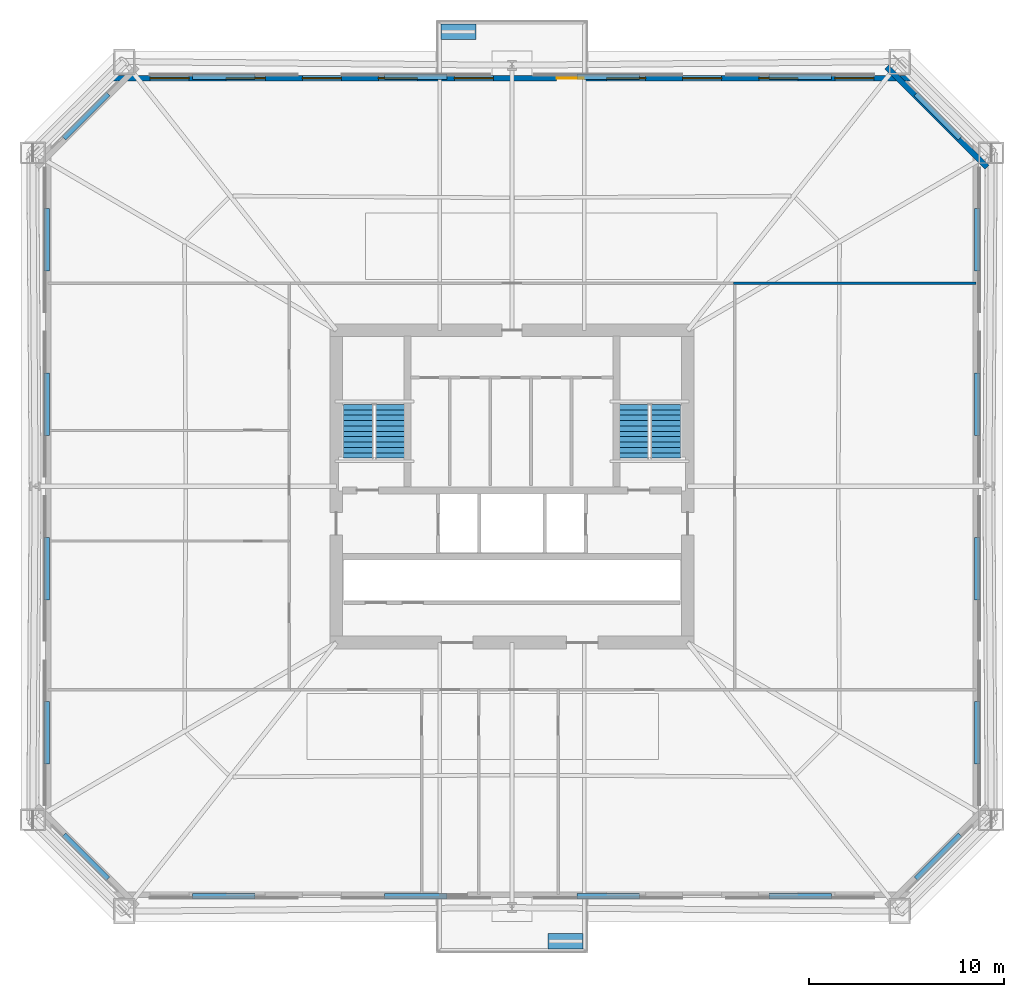
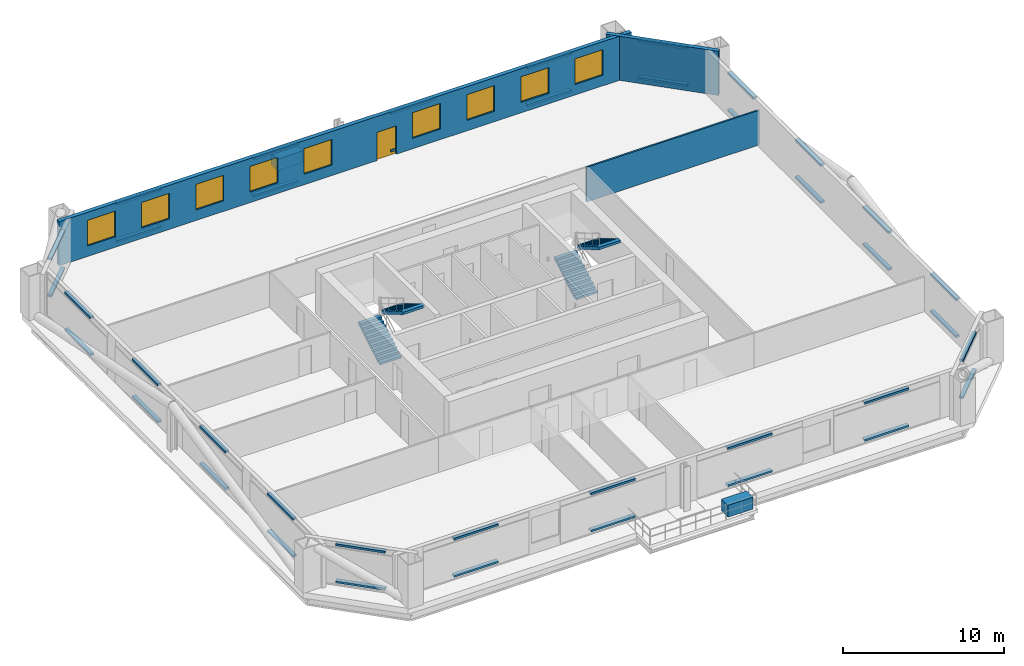
# One storey, part 5 of 7: 42 discrete accessories, 9 windows, 4 stair flights, 3 walls, 1 door, 10 openings, 2 elements without a shape of their own.
"""IFC4 building model written with IfcOpenShell, lengths in metres."""

from ifc_helpers import new_model, si_unit, direction, frame, frame_2d, origin, origin_2d, place, context, subcontext, project, spatial, polyline, rectangle, outline, extrude, material, layer, layer_set, type_object, element, fill, aggregate, save


model = new_model("IFC4")

# Units and contexts
model_context = context("Model", 3, precision=1e-05, world=origin(), true_north=direction((0.0, 1.0)))
body_context = subcontext(model_context, "Body", "Model", "MODEL_VIEW")
ifc_project = project(units=[si_unit("LENGTHUNIT", "METRE"), si_unit("AREAUNIT", "SQUARE_METRE"), si_unit("VOLUMEUNIT", "CUBIC_METRE"), si_unit("PLANEANGLEUNIT", "RADIAN"), si_unit("MASSUNIT", "GRAM", prefix="KILO")], contexts=[model_context])

# Site, building, storey
site_placement = place(None, origin())
site = spatial("IfcSite", under=ifc_project, at=site_placement, CompositionType="ELEMENT")
building_placement = place(site_placement, origin())
building = spatial("IfcBuilding", under=site, at=building_placement, Name="Caelvoria Tower", CompositionType="ELEMENT")
storey_placement = place(building_placement, frame((0.0, 0.0, 38.800048828125)))
storey = spatial("IfcBuildingStorey", under=building, at=storey_placement, Name="L09", CompositionType="ELEMENT", Elevation=38.800048828125)

# Wall
ifc_material_1 = material(Name="Precast Concrete C40/50 with Bronze Cladding", Category="concrete")
ifc_layer_1 = layer(ifc_material_1, 0.280029296875, Name="Precast Concrete C40/50 with Bronze Cladding")
ifc_layer_set_1 = layer_set([ifc_layer_1], Name="Exterior Precast Concrete C40/50 Bronze-Clad Facade Wall 280 - Precast Concrete C40/50 with Bronze Cladding")
wall_type_1 = type_object("IfcWallType", Name="Exterior Precast Concrete C40/50 Bronze-Clad Facade Wall 280", PredefinedType="STANDARD", material=ifc_layer_set_1)
wall_1_placement = place(storey_placement, frame((70.343994140625, 48.3544921875, 0.0), z_axis=(0.0, 0.0, 1.0), x_axis=(-0.707106781187, 0.707106781187, 0.0)))
element("IfcWall", 1, at=wall_1_placement, inside=storey, type_object=wall_type_1, Name="Exterior Facade Wall L09-E3", PredefinedType="STANDARD", context=body_context, shape_type="SweptSolid", body=[
    extrude(rectangle(XDim=7.268310546875, YDim=0.280029296875, at=frame_2d((3.63427734375, 0.0))), origin(), (0.0, 0.0, 1.0), 3.35986328125),
])

# Wall, openings, windows, door
wall_2_placement = place(storey_placement, frame((66.590087890625, 52.919921875, 0.0), z_axis=(0.0, 0.0, 1.0), x_axis=(-1.0, 0.0, 0.0)))
wall_2 = element("IfcWall", 2, at=wall_2_placement, inside=storey, type_object=wall_type_1, Name="Exterior Facade Wall L09-E4", PredefinedType="STANDARD", context=body_context, shape_type="SweptSolid", body=[
    extrude(rectangle(XDim=41.18017578125, YDim=0.280029296875, at=frame_2d((20.590087890625, 0.0))), origin(), (0.0, 0.0, 1.0), 3.35986328125),
])
opening_1_placement = place(wall_2_placement, frame((16.909912109375, 0.0, 0.0)))
opening_1 = element("IfcOpeningElement", 3, at=opening_1_placement, cuts=wall_2, Name="Opening ED-04", PredefinedType="OPENING", context=body_context, shape_type="SweptSolid", body=[
    extrude(rectangle(XDim=1.39990234375, YDim=2.14990234375, at=frame_2d((0.699951171875, 1.074951171875))), frame((0.0, 0.14990234375, 0.0), z_axis=(0.0, -1.0, 0.0), x_axis=(1.0, 0.0, 0.0)), (0.0, 0.0, 1.0), 0.300048828125),
])
opening_2_placement = place(wall_2_placement, frame((2.049072265625, 0.0, 0.800048828125)))
opening_2 = element("IfcOpeningElement", 4, at=opening_2_placement, cuts=wall_2, Name="Opening WN-01", PredefinedType="OPENING", context=body_context, shape_type="SweptSolid", body=[
    extrude(rectangle(XDim=2.0, YDim=1.949951171875, at=frame_2d((1.0, 0.97509765625))), frame((0.0, 0.14990234375, 0.0), z_axis=(0.0, -1.0, 0.0), x_axis=(1.0, 0.0, 0.0)), (0.0, 0.0, 1.0), 0.300048828125),
])
opening_3_placement = place(wall_2_placement, frame((5.947021484375, 0.0, 0.800048828125)))
opening_3 = element("IfcOpeningElement", 5, at=opening_3_placement, cuts=wall_2, Name="Opening WN-01", PredefinedType="OPENING", context=body_context, shape_type="SweptSolid", body=[
    extrude(rectangle(XDim=2.0, YDim=1.949951171875, at=frame_2d((1.0, 0.97509765625))), frame((0.0, 0.14990234375, 0.0), z_axis=(0.0, -1.0, 0.0), x_axis=(1.0, 0.0, 0.0)), (0.0, 0.0, 1.0), 0.300048828125),
])
opening_4_placement = place(wall_2_placement, frame((9.844970703125, 0.0, 0.800048828125)))
opening_4 = element("IfcOpeningElement", 6, at=opening_4_placement, cuts=wall_2, Name="Opening WN-01", PredefinedType="OPENING", context=body_context, shape_type="SweptSolid", body=[
    extrude(rectangle(XDim=2.0, YDim=1.949951171875, at=frame_2d((1.0, 0.97509765625))), frame((0.0, 0.14990234375, 0.0), z_axis=(0.0, -1.0, 0.0), x_axis=(1.0, 0.0, 0.0)), (0.0, 0.0, 1.0), 0.300048828125),
])
opening_5_placement = place(wall_2_placement, frame((13.742919921875, 0.0, 0.800048828125)))
opening_5 = element("IfcOpeningElement", 7, at=opening_5_placement, cuts=wall_2, Name="Opening WN-01", PredefinedType="OPENING", context=body_context, shape_type="SweptSolid", body=[
    extrude(rectangle(XDim=2.0, YDim=1.949951171875, at=frame_2d((1.0, 0.97509765625))), frame((0.0, 0.14990234375, 0.0), z_axis=(0.0, -1.0, 0.0), x_axis=(1.0, 0.0, 0.0)), (0.0, 0.0, 1.0), 0.300048828125),
])
opening_6_placement = place(wall_2_placement, frame((21.5390625, 0.0, 0.800048828125)))
opening_6 = element("IfcOpeningElement", 8, at=opening_6_placement, cuts=wall_2, Name="Opening WN-01", PredefinedType="OPENING", context=body_context, shape_type="SweptSolid", body=[
    extrude(rectangle(XDim=2.0, YDim=1.949951171875, at=frame_2d((1.0, 0.97509765625))), frame((0.0, 0.14990234375, 0.0), z_axis=(0.0, -1.0, 0.0), x_axis=(1.0, 0.0, 0.0)), (0.0, 0.0, 1.0), 0.300048828125),
])
opening_7_placement = place(wall_2_placement, frame((25.43701171875, 0.0, 0.800048828125)))
opening_7 = element("IfcOpeningElement", 9, at=opening_7_placement, cuts=wall_2, Name="Opening WN-01", PredefinedType="OPENING", context=body_context, shape_type="SweptSolid", body=[
    extrude(rectangle(XDim=2.0, YDim=1.949951171875, at=frame_2d((1.0, 0.97509765625))), frame((0.0, 0.14990234375, 0.0), z_axis=(0.0, -1.0, 0.0), x_axis=(1.0, 0.0, 0.0)), (0.0, 0.0, 1.0), 0.300048828125),
])
opening_8_placement = place(wall_2_placement, frame((29.3349609375, 0.0, 0.800048828125)))
opening_8 = element("IfcOpeningElement", 10, at=opening_8_placement, cuts=wall_2, Name="Opening WN-01", PredefinedType="OPENING", context=body_context, shape_type="SweptSolid", body=[
    extrude(rectangle(XDim=2.0, YDim=1.949951171875, at=frame_2d((1.0, 0.97509765625))), frame((0.0, 0.14990234375, 0.0), z_axis=(0.0, -1.0, 0.0), x_axis=(1.0, 0.0, 0.0)), (0.0, 0.0, 1.0), 0.300048828125),
])
opening_9_placement = place(wall_2_placement, frame((33.23291015625, 0.0, 0.800048828125)))
opening_9 = element("IfcOpeningElement", 11, at=opening_9_placement, cuts=wall_2, Name="Opening WN-01", PredefinedType="OPENING", context=body_context, shape_type="SweptSolid", body=[
    extrude(rectangle(XDim=2.0, YDim=1.949951171875, at=frame_2d((1.0, 0.97509765625))), frame((0.0, 0.14990234375, 0.0), z_axis=(0.0, -1.0, 0.0), x_axis=(1.0, 0.0, 0.0)), (0.0, 0.0, 1.0), 0.300048828125),
])
opening_10_placement = place(wall_2_placement, frame((37.131103515625, 0.0, 0.800048828125)))
opening_10 = element("IfcOpeningElement", 12, at=opening_10_placement, cuts=wall_2, Name="Opening WN-01", PredefinedType="OPENING", context=body_context, shape_type="SweptSolid", body=[
    extrude(rectangle(XDim=2.0, YDim=1.949951171875, at=frame_2d((1.0, 0.97509765625))), frame((0.0, 0.14990234375, 0.0), z_axis=(0.0, -1.0, 0.0), x_axis=(1.0, 0.0, 0.0)), (0.0, 0.0, 1.0), 0.300048828125),
])
ifc_material_2 = material(Name="Low-E Tinted Glass in Bronze Aluminium Frame", Category="aluminium")
window_type = type_object("IfcWindowType", Name="Tower Office Vision Window 2000x1950", PartitioningType="SINGLE_PANEL", PredefinedType="WINDOW", material=ifc_material_2)
window_1_placement = place(opening_2_placement, origin())
window_1 = element("IfcWindow", 13, at=window_1_placement, inside=storey, type_object=window_type, Name="Facade Window L09-E4-00", OverallHeight=1.949951171875, OverallWidth=2.0, PartitioningType="SINGLE_PANEL", PredefinedType="WINDOW", context=body_context, shape_type="SweptSolid", body=[
    extrude(rectangle(XDim=2.0, YDim=1.949951171875, at=frame_2d((1.0, 0.97509765625))), frame((0.0, 0.030029296875, 0.0), z_axis=(0.0, -1.0, 0.0), x_axis=(1.0, 0.0, 0.0)), (0.0, 0.0, 1.0), 0.06005859375),
])
fill(opening_2, window_1)
window_2_placement = place(opening_3_placement, origin())
window_2 = element("IfcWindow", 14, at=window_2_placement, inside=storey, type_object=window_type, Name="Facade Window L09-E4-01", OverallHeight=1.949951171875, OverallWidth=2.0, PartitioningType="SINGLE_PANEL", PredefinedType="WINDOW", context=body_context, shape_type="SweptSolid", body=[
    extrude(rectangle(XDim=2.0, YDim=1.949951171875, at=frame_2d((1.0, 0.97509765625))), frame((0.0, 0.030029296875, 0.0), z_axis=(0.0, -1.0, 0.0), x_axis=(1.0, 0.0, 0.0)), (0.0, 0.0, 1.0), 0.06005859375),
])
fill(opening_3, window_2)
window_3_placement = place(opening_4_placement, origin())
window_3 = element("IfcWindow", 15, at=window_3_placement, inside=storey, type_object=window_type, Name="Facade Window L09-E4-02", OverallHeight=1.949951171875, OverallWidth=2.0, PartitioningType="SINGLE_PANEL", PredefinedType="WINDOW", context=body_context, shape_type="SweptSolid", body=[
    extrude(rectangle(XDim=2.0, YDim=1.949951171875, at=frame_2d((1.0, 0.97509765625))), frame((0.0, 0.030029296875, 0.0), z_axis=(0.0, -1.0, 0.0), x_axis=(1.0, 0.0, 0.0)), (0.0, 0.0, 1.0), 0.06005859375),
])
fill(opening_4, window_3)
window_4_placement = place(opening_5_placement, origin())
window_4 = element("IfcWindow", 16, at=window_4_placement, inside=storey, type_object=window_type, Name="Facade Window L09-E4-03", OverallHeight=1.949951171875, OverallWidth=2.0, PartitioningType="SINGLE_PANEL", PredefinedType="WINDOW", context=body_context, shape_type="SweptSolid", body=[
    extrude(rectangle(XDim=2.0, YDim=1.949951171875, at=frame_2d((1.0, 0.97509765625))), frame((0.0, 0.030029296875, 0.0), z_axis=(0.0, -1.0, 0.0), x_axis=(1.0, 0.0, 0.0)), (0.0, 0.0, 1.0), 0.06005859375),
])
fill(opening_5, window_4)
window_5_placement = place(opening_6_placement, origin())
window_5 = element("IfcWindow", 17, at=window_5_placement, inside=storey, type_object=window_type, Name="Facade Window L09-E4-05", OverallHeight=1.949951171875, OverallWidth=2.0, PartitioningType="SINGLE_PANEL", PredefinedType="WINDOW", context=body_context, shape_type="SweptSolid", body=[
    extrude(rectangle(XDim=2.0, YDim=1.949951171875, at=frame_2d((1.0, 0.97509765625))), frame((0.0, 0.030029296875, 0.0), z_axis=(0.0, -1.0, 0.0), x_axis=(1.0, 0.0, 0.0)), (0.0, 0.0, 1.0), 0.06005859375),
])
fill(opening_6, window_5)
window_6_placement = place(opening_7_placement, origin())
window_6 = element("IfcWindow", 18, at=window_6_placement, inside=storey, type_object=window_type, Name="Facade Window L09-E4-06", OverallHeight=1.949951171875, OverallWidth=2.0, PartitioningType="SINGLE_PANEL", PredefinedType="WINDOW", context=body_context, shape_type="SweptSolid", body=[
    extrude(rectangle(XDim=2.0, YDim=1.949951171875, at=frame_2d((1.0, 0.97509765625))), frame((0.0, 0.030029296875, 0.0), z_axis=(0.0, -1.0, 0.0), x_axis=(1.0, 0.0, 0.0)), (0.0, 0.0, 1.0), 0.06005859375),
])
fill(opening_7, window_6)
window_7_placement = place(opening_8_placement, origin())
window_7 = element("IfcWindow", 19, at=window_7_placement, inside=storey, type_object=window_type, Name="Facade Window L09-E4-07", OverallHeight=1.949951171875, OverallWidth=2.0, PartitioningType="SINGLE_PANEL", PredefinedType="WINDOW", context=body_context, shape_type="SweptSolid", body=[
    extrude(rectangle(XDim=2.0, YDim=1.949951171875, at=frame_2d((1.0, 0.97509765625))), frame((0.0, 0.030029296875, 0.0), z_axis=(0.0, -1.0, 0.0), x_axis=(1.0, 0.0, 0.0)), (0.0, 0.0, 1.0), 0.06005859375),
])
fill(opening_8, window_7)
window_8_placement = place(opening_9_placement, origin())
window_8 = element("IfcWindow", 20, at=window_8_placement, inside=storey, type_object=window_type, Name="Facade Window L09-E4-08", OverallHeight=1.949951171875, OverallWidth=2.0, PartitioningType="SINGLE_PANEL", PredefinedType="WINDOW", context=body_context, shape_type="SweptSolid", body=[
    extrude(rectangle(XDim=2.0, YDim=1.949951171875, at=frame_2d((1.0, 0.97509765625))), frame((0.0, 0.030029296875, 0.0), z_axis=(0.0, -1.0, 0.0), x_axis=(1.0, 0.0, 0.0)), (0.0, 0.0, 1.0), 0.06005859375),
])
fill(opening_9, window_8)
window_9_placement = place(opening_10_placement, origin())
window_9 = element("IfcWindow", 21, at=window_9_placement, inside=storey, type_object=window_type, Name="Facade Window L09-E4-09", OverallHeight=1.949951171875, OverallWidth=2.0, PartitioningType="SINGLE_PANEL", PredefinedType="WINDOW", context=body_context, shape_type="SweptSolid", body=[
    extrude(rectangle(XDim=2.0, YDim=1.949951171875, at=frame_2d((1.0, 0.97509765625))), frame((0.0, 0.030029296875, 0.0), z_axis=(0.0, -1.0, 0.0), x_axis=(1.0, 0.0, 0.0)), (0.0, 0.0, 1.0), 0.06005859375),
])
fill(opening_10, window_9)
ifc_material_3 = material(Name="Anodised Bronze Aluminium and Laminated Glass", Category="aluminium")
door_type = type_object("IfcDoorType", Name="Tree Balcony Glazed Door 1400x2150", OperationType="NOTDEFINED", PredefinedType="DOOR", material=ifc_material_3)
door_placement = place(opening_1_placement, origin())
door = element("IfcDoor", 22, at=door_placement, inside=storey, type_object=door_type, Name="Tree Balcony Door L09-N", OperationType="SINGLE_SWING_RIGHT", OverallHeight=2.14990234375, OverallWidth=1.39990234375, PredefinedType="DOOR", context=body_context, shape_type="SweptSolid", body=[
    extrude(rectangle(XDim=1.39990234375, YDim=2.14990234375, at=frame_2d((0.699951171875, 1.074951171875))), frame((0.0, 0.02490234375, 0.0), z_axis=(0.0, -1.0, 0.0), x_axis=(1.0, 0.0, 0.0)), (0.0, 0.0, 1.0), 0.050048828125),
])
fill(opening_1, door)

# Wall
ifc_material_4 = material(Name="Acoustic Gypsum Board on Light-Gauge Stud", Category="gypsum")
ifc_layer_2 = layer(ifc_material_4, 0.1201171875, Name="Acoustic Gypsum Board on Light-Gauge Stud")
ifc_layer_set_2 = layer_set([ifc_layer_2], Name="Tenant Suite Acoustic Partition Wall 120 - Acoustic Gypsum Board on Light-Gauge Stud")
wall_type_2 = type_object("IfcWallType", Name="Tenant Suite Acoustic Partition Wall 120", PredefinedType="PARTITIONING", material=ifc_layer_set_2)
wall_3_placement = place(storey_placement, frame((57.35009765625, 42.409912109375, 0.0), z_axis=(0.0, 0.0, 1.0), x_axis=(1.0, 0.0, 0.0)))
element("IfcWall", 23, at=wall_3_placement, inside=storey, type_object=wall_type_2, Name="Interior Partition IW-L09-BNE-0", PredefinedType="PARTITIONING", context=body_context, shape_type="SweptSolid", body=[
    extrude(rectangle(XDim=12.419921875, YDim=0.1201171875, at=frame_2d((6.2099609375, 0.0))), origin(), (0.0, 0.0, 1.0), 2.639892578125),
])

# Stair, stair flights
ifc_material_5 = material(Name="Concrete C40/50", Category="concrete")
stair_type = type_object("IfcStairType", Name="Core Smokeproof Dogleg Stair Concrete C40/50", PredefinedType="HALF_TURN_STAIR", material=ifc_material_5)
stair_1_placement = place(storey_placement, origin())
stair_1 = element("IfcStair", 24, at=stair_1_placement, inside=storey, type_object=stair_type, Name="ST-01 Smokeproof Exit Stair L09", PredefinedType="HALF_TURN_STAIR")
ifc_material_6 = material(Name="Precast Concrete C40/50", Category="concrete")
stair_flight_type = type_object("IfcStairFlightType", Name="Precast Concrete C40/50 Stair Flight 1480", PredefinedType="STRAIGHT", material=ifc_material_6)
stair_flight_1_placement = place(storey_placement, frame((38.1298828125, 33.449951171875, 0.0), z_axis=(0.0, 0.0, 1.0), x_axis=(0.0, 1.0, 0.0)))
stair_flight_1 = element("IfcStairFlight", 25, at=stair_flight_1_placement, type_object=stair_flight_type, Name="ST-01 flight 1", NumberOfRisers=11, NumberOfTreads=10, PredefinedType="STRAIGHT", RiserHeight=0.1636, TreadLength=0.275, context=body_context, shape_type="SweptSolid", body=[
    extrude(outline(polyline([(0.0, 0.0), (0.0, 0.16357421875), (0.27490234375, 0.16357421875), (0.27490234375, 0.3271484375), (0.550048828125, 0.3271484375), (0.550048828125, 0.49072265625), (0.824951171875, 0.49072265625), (0.824951171875, 0.654296875), (1.10009765625, 0.654296875), (1.10009765625, 0.818115234375), (1.375, 0.818115234375), (1.375, 0.981689453125), (1.64990234375, 0.981689453125), (1.64990234375, 1.145263671875), (1.925048828125, 1.145263671875), (1.925048828125, 1.308837890625), (2.199951171875, 1.308837890625), (2.199951171875, 1.472412109375), (2.47509765625, 1.472412109375), (2.47509765625, 1.635986328125), (2.75, 1.635986328125), (2.75, 1.799560546875), (2.75, 1.449951171875), (0.312744140625, 0.0), (0.0, 0.0)])), frame((0.0, 0.77001953125, 0.0), z_axis=(0.0, -1.0, 0.0), x_axis=(1.0, 0.0, 0.0)), (0.0, 0.0, 1.0), 1.5400390625),
])
stair_flight_2_placement = place(storey_placement, frame((39.77001953125, 36.199951171875, 1.800048828125), z_axis=(0.0, 0.0, 1.0), x_axis=(0.0, -1.0, 0.0)))
stair_flight_2 = element("IfcStairFlight", 26, at=stair_flight_2_placement, type_object=stair_flight_type, Name="ST-01 flight 2", NumberOfRisers=11, NumberOfTreads=10, PredefinedType="STRAIGHT", RiserHeight=0.1636, TreadLength=0.275, context=body_context, shape_type="SweptSolid", body=[
    extrude(outline(polyline([(0.0, 0.0), (0.0, 0.16357421875), (0.27490234375, 0.16357421875), (0.27490234375, 0.3271484375), (0.550048828125, 0.3271484375), (0.550048828125, 0.49072265625), (0.824951171875, 0.49072265625), (0.824951171875, 0.654296875), (1.10009765625, 0.654296875), (1.10009765625, 0.818115234375), (1.375, 0.818115234375), (1.375, 0.981689453125), (1.64990234375, 0.981689453125), (1.64990234375, 1.145263671875), (1.925048828125, 1.145263671875), (1.925048828125, 1.308837890625), (2.199951171875, 1.308837890625), (2.199951171875, 1.472412109375), (2.47509765625, 1.472412109375), (2.47509765625, 1.635986328125), (2.75, 1.635986328125), (2.75, 1.799560546875), (2.75, 1.449951171875), (0.312744140625, 0.0), (0.0, 0.0)])), frame((0.0, 0.77001953125, 0.0), z_axis=(0.0, -1.0, 0.0), x_axis=(1.0, 0.0, 0.0)), (0.0, 0.0, 1.0), 1.5400390625),
])
aggregate(stair_1, [stair_flight_1, stair_flight_2])

stair_2_placement = place(storey_placement, origin())
stair_2 = element("IfcStair", 27, at=stair_2_placement, inside=storey, type_object=stair_type, Name="ST-02 Smokeproof Exit Stair L09", PredefinedType="HALF_TURN_STAIR")
stair_flight_3_placement = place(storey_placement, frame((52.22998046875, 33.449951171875, 0.0), z_axis=(0.0, 0.0, 1.0), x_axis=(0.0, 1.0, 0.0)))
stair_flight_3 = element("IfcStairFlight", 28, at=stair_flight_3_placement, type_object=stair_flight_type, Name="ST-02 flight 1", NumberOfRisers=11, NumberOfTreads=10, PredefinedType="STRAIGHT", RiserHeight=0.1636, TreadLength=0.275, context=body_context, shape_type="SweptSolid", body=[
    extrude(outline(polyline([(0.0, 0.0), (0.0, 0.16357421875), (0.27490234375, 0.16357421875), (0.27490234375, 0.3271484375), (0.550048828125, 0.3271484375), (0.550048828125, 0.49072265625), (0.824951171875, 0.49072265625), (0.824951171875, 0.654296875), (1.10009765625, 0.654296875), (1.10009765625, 0.818115234375), (1.375, 0.818115234375), (1.375, 0.981689453125), (1.64990234375, 0.981689453125), (1.64990234375, 1.145263671875), (1.925048828125, 1.145263671875), (1.925048828125, 1.308837890625), (2.199951171875, 1.308837890625), (2.199951171875, 1.472412109375), (2.47509765625, 1.472412109375), (2.47509765625, 1.635986328125), (2.75, 1.635986328125), (2.75, 1.799560546875), (2.75, 1.449951171875), (0.312744140625, 0.0), (0.0, 0.0)])), frame((0.0, 0.77001953125, 0.0), z_axis=(0.0, -1.0, 0.0), x_axis=(1.0, 0.0, 0.0)), (0.0, 0.0, 1.0), 1.5400390625),
])
stair_flight_4_placement = place(storey_placement, frame((53.8701171875, 36.199951171875, 1.800048828125), z_axis=(0.0, 0.0, 1.0), x_axis=(0.0, -1.0, 0.0)))
stair_flight_4 = element("IfcStairFlight", 29, at=stair_flight_4_placement, type_object=stair_flight_type, Name="ST-02 flight 2", NumberOfRisers=11, NumberOfTreads=10, PredefinedType="STRAIGHT", RiserHeight=0.1636, TreadLength=0.275, context=body_context, shape_type="SweptSolid", body=[
    extrude(outline(polyline([(0.0, 0.0), (0.0, 0.16357421875), (0.27490234375, 0.16357421875), (0.27490234375, 0.3271484375), (0.550048828125, 0.3271484375), (0.550048828125, 0.49072265625), (0.824951171875, 0.49072265625), (0.824951171875, 0.654296875), (1.10009765625, 0.654296875), (1.10009765625, 0.818115234375), (1.375, 0.818115234375), (1.375, 0.981689453125), (1.64990234375, 0.981689453125), (1.64990234375, 1.145263671875), (1.925048828125, 1.145263671875), (1.925048828125, 1.308837890625), (2.199951171875, 1.308837890625), (2.199951171875, 1.472412109375), (2.47509765625, 1.472412109375), (2.47509765625, 1.635986328125), (2.75, 1.635986328125), (2.75, 1.799560546875), (2.75, 1.449951171875), (0.312744140625, 0.0), (0.0, 0.0)])), frame((0.0, 0.77001953125, 0.0), z_axis=(0.0, -1.0, 0.0), x_axis=(1.0, 0.0, 0.0)), (0.0, 0.0, 1.0), 1.5400390625),
])
aggregate(stair_2, [stair_flight_3, stair_flight_4])

# Discrete accessories
ifc_material_7 = material(Name="Anodised Bronze Stainless Bracket", Category="bronze")
discrete_accessory_type_1 = type_object("IfcDiscreteAccessoryType", Name="Solar Screen Outrigger Support Bracket", PredefinedType="BRACKET", material=ifc_material_7)
for number, where, z_axis, x_axis, name in (
    (30, (31.232421875, 11.0029296875, 0.240234375), (0.0, 0.0, 1.0), (1.0, 0.0, 0.0), "Solar Screen Bracket L09-E0-00"),
    (31, (31.232421875, 11.0029296875, 3.06005859375), (0.0, 0.0, 1.0), (1.0, 0.0, 0.0), "Upper Screen Band Bracket L09-E0-00"),
    (32, (41.077392578125, 11.0029296875, 0.240234375), (0.0, 0.0, 1.0), (1.0, 0.0, 0.0), "Solar Screen Bracket L09-E0-01"),
    (33, (41.077392578125, 11.0029296875, 3.06005859375), (0.0, 0.0, 1.0), (1.0, 0.0, 0.0), "Upper Screen Band Bracket L09-E0-01"),
    (34, (50.922607421875, 11.0029296875, 0.240234375), (0.0, 0.0, 1.0), (1.0, 0.0, 0.0), "Solar Screen Bracket L09-E0-02"),
    (35, (50.922607421875, 11.0029296875, 3.06005859375), (0.0, 0.0, 1.0), (1.0, 0.0, 0.0), "Upper Screen Band Bracket L09-E0-02"),
    (36, (60.767578125, 11.0029296875, 0.240234375), (0.0, 0.0, 1.0), (1.0, 0.0, 0.0), "Solar Screen Bracket L09-E0-03"),
    (37, (60.767578125, 11.0029296875, 3.06005859375), (0.0, 0.0, 1.0), (1.0, 0.0, 0.0), "Upper Screen Band Bracket L09-E0-03"),
    (38, (67.82861328125, 13.021484375, 0.240234375), (0.0, 0.0, 1.0), (0.707106781187, 0.707106781187, 0.0), "Solar Screen Bracket L09-E1-00"),
    (39, (67.82861328125, 13.021484375, 3.06005859375), (0.0, 0.0, 1.0), (0.707106781187, 0.707106781187, 0.0), "Upper Screen Band Bracket L09-E1-00"),
    (40, (69.846923828125, 19.3701171875, 0.240234375), (0.0, 0.0, 1.0), (0.0, 1.0, 0.0), "Solar Screen Bracket L09-E2-00"),
    (41, (69.846923828125, 19.3701171875, 3.06005859375), (0.0, 0.0, 1.0), (0.0, 1.0, 0.0), "Upper Screen Band Bracket L09-E2-00"),
    (42, (69.846923828125, 27.7900390625, 0.240234375), (0.0, 0.0, 1.0), (0.0, 1.0, 0.0), "Solar Screen Bracket L09-E2-01"),
    (43, (69.846923828125, 27.7900390625, 3.06005859375), (0.0, 0.0, 1.0), (0.0, 1.0, 0.0), "Upper Screen Band Bracket L09-E2-01"),
    (44, (69.846923828125, 36.2099609375, 0.240234375), (0.0, 0.0, 1.0), (0.0, 1.0, 0.0), "Solar Screen Bracket L09-E2-02"),
    (45, (69.846923828125, 36.2099609375, 3.06005859375), (0.0, 0.0, 1.0), (0.0, 1.0, 0.0), "Upper Screen Band Bracket L09-E2-02"),
    (46, (69.846923828125, 44.6298828125, 0.240234375), (0.0, 0.0, 1.0), (0.0, 1.0, 0.0), "Solar Screen Bracket L09-E2-03"),
    (47, (69.846923828125, 44.6298828125, 3.06005859375), (0.0, 0.0, 1.0), (0.0, 1.0, 0.0), "Upper Screen Band Bracket L09-E2-03"),
    (48, (67.82861328125, 50.978515625, 0.240234375), (0.0, 0.0, 1.0), (-0.707106781187, 0.707106781187, 0.0), "Solar Screen Bracket L09-E3-00"),
    (49, (67.82861328125, 50.978515625, 3.06005859375), (0.0, 0.0, 1.0), (-0.707106781187, 0.707106781187, 0.0), "Upper Screen Band Bracket L09-E3-00"),
    (50, (60.767578125, 52.9970703125, 0.240234375), (0.0, 0.0, 1.0), (-1.0, 0.0, 0.0), "Solar Screen Bracket L09-E4-00"),
    (51, (60.767578125, 52.9970703125, 3.06005859375), (0.0, 0.0, 1.0), (-1.0, 0.0, 0.0), "Upper Screen Band Bracket L09-E4-00"),
    (52, (50.922607421875, 52.9970703125, 0.240234375), (0.0, 0.0, 1.0), (-1.0, 0.0, 0.0), "Solar Screen Bracket L09-E4-01"),
    (53, (50.922607421875, 52.9970703125, 3.06005859375), (0.0, 0.0, 1.0), (-1.0, 0.0, 0.0), "Upper Screen Band Bracket L09-E4-01"),
    (54, (41.077392578125, 52.9970703125, 0.240234375), (0.0, 0.0, 1.0), (-1.0, 0.0, 0.0), "Solar Screen Bracket L09-E4-02"),
    (55, (41.077392578125, 52.9970703125, 3.06005859375), (0.0, 0.0, 1.0), (-1.0, 0.0, 0.0), "Upper Screen Band Bracket L09-E4-02"),
    (56, (31.232421875, 52.9970703125, 0.240234375), (0.0, 0.0, 1.0), (-1.0, 0.0, 0.0), "Solar Screen Bracket L09-E4-03"),
    (57, (31.232421875, 52.9970703125, 3.06005859375), (0.0, 0.0, 1.0), (-1.0, 0.0, 0.0), "Upper Screen Band Bracket L09-E4-03"),
    (58, (24.17138671875, 50.978515625, 0.240234375), (0.0, 0.0, 1.0), (-0.707106781187, -0.707106781187, 0.0), "Solar Screen Bracket L09-E5-00"),
    (59, (24.17138671875, 50.978515625, 3.06005859375), (0.0, 0.0, 1.0), (-0.707106781187, -0.707106781187, 0.0), "Upper Screen Band Bracket L09-E5-00"),
    (60, (22.153076171875, 44.6298828125, 0.240234375), (0.0, 0.0, 1.0), (0.0, -1.0, 0.0), "Solar Screen Bracket L09-E6-00"),
    (61, (22.153076171875, 44.6298828125, 3.06005859375), (0.0, 0.0, 1.0), (0.0, -1.0, 0.0), "Upper Screen Band Bracket L09-E6-00"),
    (62, (22.153076171875, 36.2099609375, 0.240234375), (0.0, 0.0, 1.0), (0.0, -1.0, 0.0), "Solar Screen Bracket L09-E6-01"),
    (63, (22.153076171875, 36.2099609375, 3.06005859375), (0.0, 0.0, 1.0), (0.0, -1.0, 0.0), "Upper Screen Band Bracket L09-E6-01"),
    (64, (22.153076171875, 27.7900390625, 0.240234375), (0.0, 0.0, 1.0), (0.0, -1.0, 0.0), "Solar Screen Bracket L09-E6-02"),
    (65, (22.153076171875, 27.7900390625, 3.06005859375), (0.0, 0.0, 1.0), (0.0, -1.0, 0.0), "Upper Screen Band Bracket L09-E6-02"),
    (66, (22.153076171875, 19.3701171875, 0.240234375), (0.0, 0.0, 1.0), (0.0, -1.0, 0.0), "Solar Screen Bracket L09-E6-03"),
    (67, (22.153076171875, 19.3701171875, 3.06005859375), (0.0, 0.0, 1.0), (0.0, -1.0, 0.0), "Upper Screen Band Bracket L09-E6-03"),
    (68, (24.17138671875, 13.021484375, 0.240234375), (0.0, 0.0, 1.0), (0.707106781187, -0.707106781187, 0.0), "Solar Screen Bracket L09-E7-00"),
    (69, (24.17138671875, 13.021484375, 3.06005859375), (0.0, 0.0, 1.0), (0.707106781187, -0.707106781187, 0.0), "Upper Screen Band Bracket L09-E7-00"),
):
    element("IfcDiscreteAccessory", number, at=place(storey_placement, frame(where, z_axis=z_axis, x_axis=x_axis)), inside=storey, type_object=discrete_accessory_type_1, Name=name, PredefinedType="BRACKET", context=body_context, shape_type="SweptSolid", body=[
        extrude(rectangle(XDim=3.199951171875, YDim=0.280029296875, at=origin_2d()), origin(), (0.0, 0.0, 1.0), 0.159912109375),
    ])
ifc_material_8 = material(Name="Bronze-Clad Concrete C40/50 Planter Vessel", Category="concrete")
discrete_accessory_type_2 = type_object("IfcDiscreteAccessoryType", Name="Tree Balcony Structural Planter Vessel PLANTER", PredefinedType="USERDEFINED", material=ifc_material_8)
for number, where, z_axis, x_axis, name in (
    (70, (48.75, 8.699951171875, 0.0), (0.0, 0.0, 1.0), (1.0, 0.0, 0.0), "Tree Balcony Planter TB-L09-S"),
    (71, (43.25, 55.300048828125, 0.0), (0.0, 0.0, 1.0), (1.0, 0.0, 0.0), "Tree Balcony Planter TB-L09-N"),
):
    element("IfcDiscreteAccessory", number, at=place(storey_placement, frame(where, z_axis=z_axis, x_axis=x_axis)), inside=storey, type_object=discrete_accessory_type_2, Name=name, ObjectType="PLANTER", PredefinedType="USERDEFINED", context=body_context, shape_type="SweptSolid", body=[
        extrude(rectangle(XDim=1.800048828125, YDim=0.800048828125, at=origin_2d()), origin(), (0.0, 0.0, 1.0), 0.89990234375),
    ])

save(model, "model.ifc")
